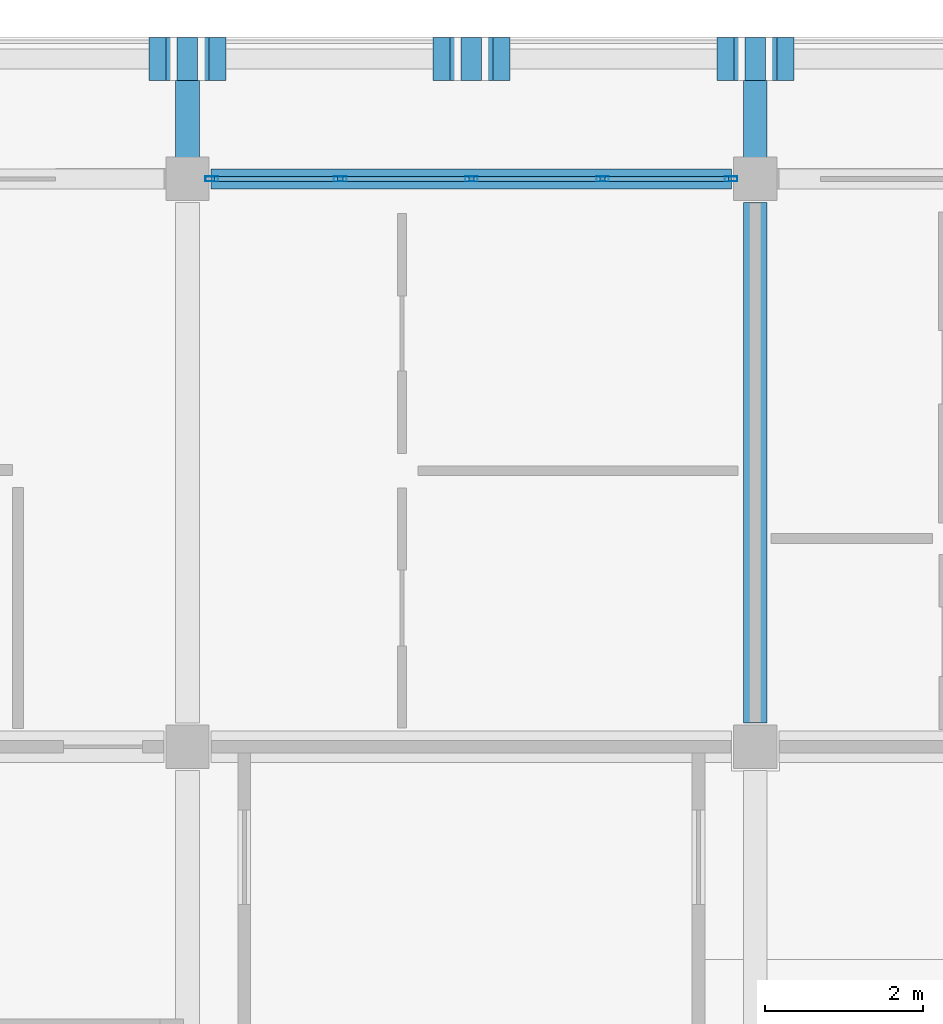
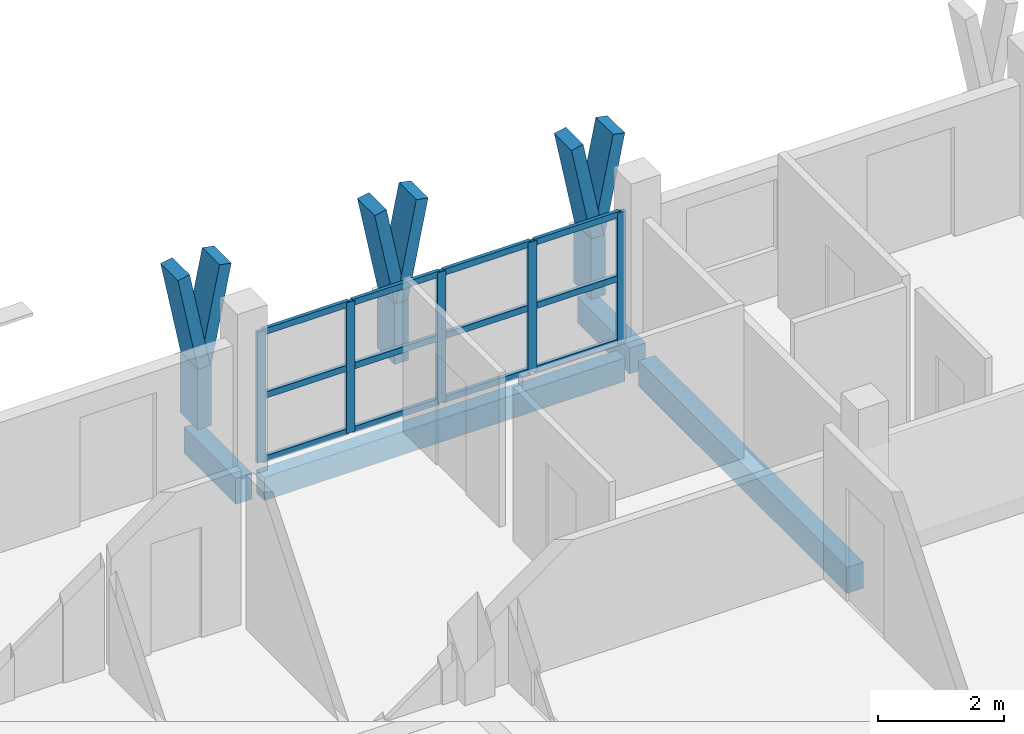
# One storey, part 27 of 73: 26 members, 4 beams, 1 element without a shape of its own.
"""IFC4 building model written with IfcOpenShell, lengths in metres."""

from ifc_helpers import new_model, si_unit, direction, frame, origin, origin_2d, place, context, subcontext, project, spatial, rectangle, hollow_rectangle, extrude, material, material_profile, profile_set, type_object, element, aggregate, save


model = new_model("IFC4")

# Units and contexts
model_context = context("Model", 3, precision=1e-05, world=origin(), true_north=direction((0.0, 1.0)))
body_context = subcontext(model_context, "Body", "Model", "MODEL_VIEW")
ifc_project = project(units=[si_unit("LENGTHUNIT", "METRE"), si_unit("AREAUNIT", "SQUARE_METRE"), si_unit("VOLUMEUNIT", "CUBIC_METRE"), si_unit("PLANEANGLEUNIT", "RADIAN"), si_unit("MASSUNIT", "GRAM", prefix="KILO")], contexts=[model_context])

# Site, building, storey
site_placement = place(None, origin())
site = spatial("IfcSite", under=ifc_project, at=site_placement, CompositionType="ELEMENT")
building_placement = place(site_placement, origin())
building = spatial("IfcBuilding", under=site, at=building_placement, Name="Suanplinth Sawtooth Commons", CompositionType="ELEMENT")
storey_placement = place(building_placement, frame((0.0, 0.0, 21.89990234375)))
storey = spatial("IfcBuildingStorey", under=building, at=storey_placement, Name="L06", CompositionType="ELEMENT", Elevation=21.89990234375)

# Beams
ifc_material_1 = material(Name="Precast concrete C40/50", Category="concrete")
ifc_material_profile_1 = material_profile(ifc_material_1, rectangle(XDim=0.300048828125, YDim=0.5, at=origin_2d()), Name="PC-BM 300x500")
ifc_profile_set_1 = profile_set([ifc_material_profile_1], Name="Precast concrete C40/50")
beam_type_1 = type_object("IfcBeamType", Name="B-07", PredefinedType="BEAM", material=ifc_profile_set_1)
beam_1_placement = place(storey_placement, frame((172.800048828125, 115.5, -0.489990234375), z_axis=(0.0, 1.0, 0.0), x_axis=(-1.0, 0.0, 0.0)))
element("IfcBeam", 1, at=beam_1_placement, inside=storey, type_object=beam_type_1, Name="BMY-L06-B-24-16", PredefinedType="BEAM", context=body_context, shape_type="SweptSolid", body=[
    extrude(rectangle(XDim=0.300048828125, YDim=0.5, at=origin_2d()), origin(), (0.0, 0.0, 1.0), 6.60009765625),
])
for number, where, z_axis, x_axis, name in (
    (2, (165.60009765625, 122.39990234375, -0.429931640625), (0.0, 1.0, 0.0), (-1.0, 0.0, 0.0), "Balcony Outrigger L06-B-N-23"),
    (3, (172.800048828125, 122.39990234375, -0.429931640625), (0.0, 1.0, 0.0), (-1.0, 0.0, 0.0), "Balcony Outrigger L06-B-N-24"),
):
    element("IfcBeam", number, at=place(storey_placement, frame(where, z_axis=z_axis, x_axis=x_axis)), inside=storey, type_object=beam_type_1, Name=name, PredefinedType="BEAM", context=body_context, shape_type="SweptSolid", body=[
        extrude(rectangle(XDim=0.300048828125, YDim=0.5, at=origin_2d()), origin(), (0.0, 0.0, 1.0), 1.64013671875),
    ])
ifc_material_profile_2 = material_profile(ifc_material_1, rectangle(XDim=0.25, YDim=0.449951171875, at=origin_2d()), Name="PC-SP 250x450")
ifc_profile_set_2 = profile_set([ifc_material_profile_2], Name="Precast concrete C40/50")
beam_type_2 = type_object("IfcBeamType", Name="B-09", PredefinedType="SPANDREL", material=ifc_profile_set_2)
beam_2_placement = place(storey_placement, frame((165.89990234375, 122.39990234375, -0.46484375), z_axis=(1.0, 0.0, 0.0), x_axis=(0.0, 1.0, 0.0)))
element("IfcBeam", 4, at=beam_2_placement, inside=storey, type_object=beam_type_2, Name="BMX-L06-B-23-17", PredefinedType="SPANDREL", context=body_context, shape_type="SweptSolid", body=[
    extrude(rectangle(XDim=0.25, YDim=0.449951171875, at=origin_2d()), origin(), (0.0, 0.0, 1.0), 6.60009765625),
])

# Members
ifc_material_2 = material(Name="Pigmented precast concrete C40/50", Category="concrete")
ifc_material_profile_3 = material_profile(ifc_material_2, rectangle(XDim=0.260009765625, YDim=0.550048828125, at=origin_2d()), Name="PC-FIN 260x550")
ifc_profile_set_3 = profile_set([ifc_material_profile_3], Name="Pigmented precast concrete C40/50")
member_type_1 = type_object("IfcMemberType", Name="M-09", PredefinedType="USERDEFINED", material=ifc_profile_set_3)
for number, where, z_axis, x_axis, name in (
    (5, (165.60009765625, 123.919921875, 0.0), (0.0, 0.0, 1.0), (1.0, 0.0, 0.0), "Y-Blade Stem L06-B-N-04"),
    (6, (169.199951171875, 123.919921875, 0.0), (0.0, 0.0, 1.0), (1.0, 0.0, 0.0), "Y-Blade Stem L06-B-N-05"),
    (7, (172.800048828125, 123.919921875, 0.0), (0.0, 0.0, 1.0), (1.0, 0.0, 0.0), "Y-Blade Stem L06-B-N-06"),
):
    element("IfcMember", number, at=place(storey_placement, frame(where, z_axis=z_axis, x_axis=x_axis)), inside=storey, type_object=member_type_1, Name=name, ObjectType="SHADING FIN", PredefinedType="USERDEFINED", context=body_context, shape_type="SweptSolid", body=[
        extrude(rectangle(XDim=0.260009765625, YDim=0.550048828125, at=origin_2d()), origin(), (0.0, 0.0, 1.0), 1.170166015625),
    ])
ifc_material_profile_4 = material_profile(ifc_material_2, rectangle(XDim=0.219970703125, YDim=0.550048828125, at=origin_2d()), Name="PC-FIN 220x550")
ifc_profile_set_4 = profile_set([ifc_material_profile_4], Name="Pigmented precast concrete C40/50")
member_type_2 = type_object("IfcMemberType", Name="M-10", PredefinedType="USERDEFINED", material=ifc_profile_set_4)
member_1_placement = place(storey_placement, frame((165.60009765625, 123.919921875, 1.130126953125), z_axis=(-0.196431120402, 0.0, 0.980517626021), x_axis=(0.980517626021, 0.0, 0.196431120402)))
element("IfcMember", 8, at=member_1_placement, inside=storey, type_object=member_type_2, Name="Y-Blade Arm L L06-B-N-04", ObjectType="SHADING FIN", PredefinedType="USERDEFINED", context=body_context, shape_type="SweptSolid", body=[
    extrude(rectangle(XDim=0.219970703125, YDim=0.550048828125, at=origin_2d()), origin(), (0.0, 0.0, 1.0), 1.937744140625),
])
for number, where, z_axis, x_axis, name in (
    (9, (165.60009765625, 123.919921875, 1.130126953125), (0.196309979414, 0.0, 0.980541886909), (-0.980541886909, 0.0, 0.196309979414), "Y-Blade Arm R L06-B-N-04"),
    (10, (169.199951171875, 123.919921875, 1.130126953125), (-0.196309979414, 0.0, 0.980541886909), (0.980541886909, 0.0, 0.196309979414), "Y-Blade Arm L L06-B-N-05"),
):
    element("IfcMember", number, at=place(storey_placement, frame(where, z_axis=z_axis, x_axis=x_axis)), inside=storey, type_object=member_type_2, Name=name, ObjectType="SHADING FIN", PredefinedType="USERDEFINED", context=body_context, shape_type="SweptSolid", body=[
        extrude(rectangle(XDim=0.219970703125, YDim=0.550048828125, at=origin_2d()), origin(), (0.0, 0.0, 1.0), 1.9375),
    ])
for number, where, z_axis, x_axis, name in (
    (11, (169.199951171875, 123.919921875, 1.130126953125), (0.196431120402, 0.0, 0.980517626021), (-0.980517626021, 0.0, 0.196431120402), "Y-Blade Arm R L06-B-N-05"),
    (12, (172.800048828125, 123.919921875, 1.130126953125), (-0.196431120402, 0.0, 0.980517626021), (0.980517626021, 0.0, 0.196431120402), "Y-Blade Arm L L06-B-N-06"),
):
    element("IfcMember", number, at=place(storey_placement, frame(where, z_axis=z_axis, x_axis=x_axis)), inside=storey, type_object=member_type_2, Name=name, ObjectType="SHADING FIN", PredefinedType="USERDEFINED", context=body_context, shape_type="SweptSolid", body=[
        extrude(rectangle(XDim=0.219970703125, YDim=0.550048828125, at=origin_2d()), origin(), (0.0, 0.0, 1.0), 1.937744140625),
    ])
member_2_placement = place(storey_placement, frame((172.800048828125, 123.919921875, 1.130126953125), z_axis=(0.196309979414, 0.0, 0.980541886909), x_axis=(-0.980541886909, 0.0, 0.196309979414)))
element("IfcMember", 13, at=member_2_placement, inside=storey, type_object=member_type_2, Name="Y-Blade Arm R L06-B-N-06", ObjectType="SHADING FIN", PredefinedType="USERDEFINED", context=body_context, shape_type="SweptSolid", body=[
    extrude(rectangle(XDim=0.219970703125, YDim=0.550048828125, at=origin_2d()), origin(), (0.0, 0.0, 1.0), 1.9375),
])

# Curtain wall, members
ifc_material_3 = material(Name="Anodized aluminium and low-E glazing", Category="aluminium")
curtain_wall_type = type_object("IfcCurtainWallType", Name="CW-06", PredefinedType="USERDEFINED", material=ifc_material_3)
curtain_wall_placement = place(storey_placement, origin())
curtain_wall = element("IfcCurtainWall", 14, at=curtain_wall_placement, inside=storey, type_object=curtain_wall_type, Name="Curtain Wall CW-L06-B-LOUNGE-23", ObjectType="CURTAIN WALL", PredefinedType="USERDEFINED")
ifc_material_4 = material(Name="Anodized aluminium 6063-T6", Category="aluminium")
ifc_material_profile_5 = material_profile(ifc_material_4, hollow_rectangle(XDim=0.06494140625, YDim=0.159912109375, WallThickness=0.00390625, at=origin_2d()), Name="ALU-MUL 65x160")
ifc_profile_set_5 = profile_set([ifc_material_profile_5], Name="Anodized aluminium 6063-T6")
member_type_3 = type_object("IfcMemberType", Name="M-13", PredefinedType="MULLION", material=ifc_profile_set_5)
member_3_placement = place(storey_placement, frame((165.907470703125, 122.39990234375, 0.0), z_axis=(0.0, 0.0, 1.0), x_axis=(0.0, 1.0, 0.0)))
member_3 = element("IfcMember", 15, at=member_3_placement, type_object=member_type_3, Name="CW-06 mullion 1", PredefinedType="MULLION", context=body_context, shape_type="SweptSolid", body=[
    extrude(hollow_rectangle(XDim=0.06494140625, YDim=0.159912109375, WallThickness=0.00390625, at=origin_2d()), origin(), (0.0, 0.0, 1.0), 2.530029296875),
])
member_4_placement = place(storey_placement, frame((167.53759765625, 122.39990234375, 0.0), z_axis=(0.0, 0.0, 1.0), x_axis=(0.0, 1.0, 0.0)))
member_4 = element("IfcMember", 16, at=member_4_placement, type_object=member_type_3, Name="CW-06 mullion 2", PredefinedType="MULLION", context=body_context, shape_type="SweptSolid", body=[
    extrude(hollow_rectangle(XDim=0.06494140625, YDim=0.159912109375, WallThickness=0.00390625, at=origin_2d()), origin(), (0.0, 0.0, 1.0), 2.530029296875),
])
member_5_placement = place(storey_placement, frame((169.199951171875, 122.39990234375, 0.0), z_axis=(0.0, 0.0, 1.0), x_axis=(0.0, 1.0, 0.0)))
member_5 = element("IfcMember", 17, at=member_5_placement, type_object=member_type_3, Name="CW-06 mullion 3", PredefinedType="MULLION", context=body_context, shape_type="SweptSolid", body=[
    extrude(hollow_rectangle(XDim=0.06494140625, YDim=0.159912109375, WallThickness=0.00390625, at=origin_2d()), origin(), (0.0, 0.0, 1.0), 2.530029296875),
])
member_6_placement = place(storey_placement, frame((170.862548828125, 122.39990234375, 0.0), z_axis=(0.0, 0.0, 1.0), x_axis=(0.0, 1.0, 0.0)))
member_6 = element("IfcMember", 18, at=member_6_placement, type_object=member_type_3, Name="CW-06 mullion 4", PredefinedType="MULLION", context=body_context, shape_type="SweptSolid", body=[
    extrude(hollow_rectangle(XDim=0.06494140625, YDim=0.159912109375, WallThickness=0.00390625, at=origin_2d()), origin(), (0.0, 0.0, 1.0), 2.530029296875),
])
member_7_placement = place(storey_placement, frame((172.492431640625, 122.39990234375, 0.0), z_axis=(0.0, 0.0, 1.0), x_axis=(0.0, 1.0, 0.0)))
member_7 = element("IfcMember", 19, at=member_7_placement, type_object=member_type_3, Name="CW-06 mullion 5", PredefinedType="MULLION", context=body_context, shape_type="SweptSolid", body=[
    extrude(hollow_rectangle(XDim=0.06494140625, YDim=0.159912109375, WallThickness=0.00390625, at=origin_2d()), origin(), (0.0, 0.0, 1.0), 2.530029296875),
])
ifc_material_profile_6 = material_profile(ifc_material_4, hollow_rectangle(XDim=0.06494140625, YDim=0.1201171875, WallThickness=0.00390625, at=origin_2d()), Name="ALU-TRN 65x120")
ifc_profile_set_6 = profile_set([ifc_material_profile_6], Name="Anodized aluminium 6063-T6")
member_type_4 = type_object("IfcMemberType", Name="M-15", PredefinedType="USERDEFINED", material=ifc_profile_set_6)
member_8_placement = place(storey_placement, frame((165.93994140625, 122.39990234375, 0.03271484375), z_axis=(1.0, 0.0, 0.0), x_axis=(0.0, 1.0, 0.0)))
member_8 = element("IfcMember", 20, at=member_8_placement, type_object=member_type_4, Name="CW-06 transom 1.1", ObjectType="TRANSOM", PredefinedType="USERDEFINED", context=body_context, shape_type="SweptSolid", body=[
    extrude(hollow_rectangle(XDim=0.06494140625, YDim=0.1201171875, WallThickness=0.00390625, at=origin_2d()), origin(), (0.0, 0.0, 1.0), 1.56494140625),
])
member_9_placement = place(storey_placement, frame((165.93994140625, 122.39990234375, 1.26513671875), z_axis=(1.0, 0.0, 0.0), x_axis=(0.0, 1.0, 0.0)))
member_9 = element("IfcMember", 21, at=member_9_placement, type_object=member_type_4, Name="CW-06 transom 1.2", ObjectType="TRANSOM", PredefinedType="USERDEFINED", context=body_context, shape_type="SweptSolid", body=[
    extrude(hollow_rectangle(XDim=0.06494140625, YDim=0.1201171875, WallThickness=0.00390625, at=origin_2d()), origin(), (0.0, 0.0, 1.0), 1.56494140625),
])
member_10_placement = place(storey_placement, frame((165.93994140625, 122.39990234375, 2.49755859375), z_axis=(1.0, 0.0, 0.0), x_axis=(0.0, 1.0, 0.0)))
member_10 = element("IfcMember", 22, at=member_10_placement, type_object=member_type_4, Name="CW-06 transom 1.3", ObjectType="TRANSOM", PredefinedType="USERDEFINED", context=body_context, shape_type="SweptSolid", body=[
    extrude(hollow_rectangle(XDim=0.06494140625, YDim=0.1201171875, WallThickness=0.00390625, at=origin_2d()), origin(), (0.0, 0.0, 1.0), 1.56494140625),
])
member_11_placement = place(storey_placement, frame((167.570068359375, 122.39990234375, 0.03271484375), z_axis=(1.0, 0.0, 0.0), x_axis=(0.0, 1.0, 0.0)))
member_11 = element("IfcMember", 23, at=member_11_placement, type_object=member_type_4, Name="CW-06 transom 2.1", ObjectType="TRANSOM", PredefinedType="USERDEFINED", context=body_context, shape_type="SweptSolid", body=[
    extrude(hollow_rectangle(XDim=0.06494140625, YDim=0.1201171875, WallThickness=0.00390625, at=origin_2d()), origin(), (0.0, 0.0, 1.0), 1.597412109375),
])
member_12_placement = place(storey_placement, frame((167.570068359375, 122.39990234375, 1.26513671875), z_axis=(1.0, 0.0, 0.0), x_axis=(0.0, 1.0, 0.0)))
member_12 = element("IfcMember", 24, at=member_12_placement, type_object=member_type_4, Name="CW-06 transom 2.2", ObjectType="TRANSOM", PredefinedType="USERDEFINED", context=body_context, shape_type="SweptSolid", body=[
    extrude(hollow_rectangle(XDim=0.06494140625, YDim=0.1201171875, WallThickness=0.00390625, at=origin_2d()), origin(), (0.0, 0.0, 1.0), 1.597412109375),
])
member_13_placement = place(storey_placement, frame((167.570068359375, 122.39990234375, 2.49755859375), z_axis=(1.0, 0.0, 0.0), x_axis=(0.0, 1.0, 0.0)))
member_13 = element("IfcMember", 25, at=member_13_placement, type_object=member_type_4, Name="CW-06 transom 2.3", ObjectType="TRANSOM", PredefinedType="USERDEFINED", context=body_context, shape_type="SweptSolid", body=[
    extrude(hollow_rectangle(XDim=0.06494140625, YDim=0.1201171875, WallThickness=0.00390625, at=origin_2d()), origin(), (0.0, 0.0, 1.0), 1.597412109375),
])
member_14_placement = place(storey_placement, frame((169.232421875, 122.39990234375, 0.03271484375), z_axis=(1.0, 0.0, 0.0), x_axis=(0.0, 1.0, 0.0)))
member_14 = element("IfcMember", 26, at=member_14_placement, type_object=member_type_4, Name="CW-06 transom 3.1", ObjectType="TRANSOM", PredefinedType="USERDEFINED", context=body_context, shape_type="SweptSolid", body=[
    extrude(hollow_rectangle(XDim=0.06494140625, YDim=0.1201171875, WallThickness=0.00390625, at=origin_2d()), origin(), (0.0, 0.0, 1.0), 1.59765625),
])
member_15_placement = place(storey_placement, frame((169.232421875, 122.39990234375, 1.26513671875), z_axis=(1.0, 0.0, 0.0), x_axis=(0.0, 1.0, 0.0)))
member_15 = element("IfcMember", 27, at=member_15_placement, type_object=member_type_4, Name="CW-06 transom 3.2", ObjectType="TRANSOM", PredefinedType="USERDEFINED", context=body_context, shape_type="SweptSolid", body=[
    extrude(hollow_rectangle(XDim=0.06494140625, YDim=0.1201171875, WallThickness=0.00390625, at=origin_2d()), origin(), (0.0, 0.0, 1.0), 1.59765625),
])
member_16_placement = place(storey_placement, frame((169.232421875, 122.39990234375, 2.49755859375), z_axis=(1.0, 0.0, 0.0), x_axis=(0.0, 1.0, 0.0)))
member_16 = element("IfcMember", 28, at=member_16_placement, type_object=member_type_4, Name="CW-06 transom 3.3", ObjectType="TRANSOM", PredefinedType="USERDEFINED", context=body_context, shape_type="SweptSolid", body=[
    extrude(hollow_rectangle(XDim=0.06494140625, YDim=0.1201171875, WallThickness=0.00390625, at=origin_2d()), origin(), (0.0, 0.0, 1.0), 1.59765625),
])
member_17_placement = place(storey_placement, frame((170.89501953125, 122.39990234375, 0.03271484375), z_axis=(1.0, 0.0, 0.0), x_axis=(0.0, 1.0, 0.0)))
member_17 = element("IfcMember", 29, at=member_17_placement, type_object=member_type_4, Name="CW-06 transom 4.1", ObjectType="TRANSOM", PredefinedType="USERDEFINED", context=body_context, shape_type="SweptSolid", body=[
    extrude(hollow_rectangle(XDim=0.06494140625, YDim=0.1201171875, WallThickness=0.00390625, at=origin_2d()), origin(), (0.0, 0.0, 1.0), 1.56494140625),
])
member_18_placement = place(storey_placement, frame((170.89501953125, 122.39990234375, 1.26513671875), z_axis=(1.0, 0.0, 0.0), x_axis=(0.0, 1.0, 0.0)))
member_18 = element("IfcMember", 30, at=member_18_placement, type_object=member_type_4, Name="CW-06 transom 4.2", ObjectType="TRANSOM", PredefinedType="USERDEFINED", context=body_context, shape_type="SweptSolid", body=[
    extrude(hollow_rectangle(XDim=0.06494140625, YDim=0.1201171875, WallThickness=0.00390625, at=origin_2d()), origin(), (0.0, 0.0, 1.0), 1.56494140625),
])
member_19_placement = place(storey_placement, frame((170.89501953125, 122.39990234375, 2.49755859375), z_axis=(1.0, 0.0, 0.0), x_axis=(0.0, 1.0, 0.0)))
member_19 = element("IfcMember", 31, at=member_19_placement, type_object=member_type_4, Name="CW-06 transom 4.3", ObjectType="TRANSOM", PredefinedType="USERDEFINED", context=body_context, shape_type="SweptSolid", body=[
    extrude(hollow_rectangle(XDim=0.06494140625, YDim=0.1201171875, WallThickness=0.00390625, at=origin_2d()), origin(), (0.0, 0.0, 1.0), 1.56494140625),
])
aggregate(curtain_wall, [member_3, member_4, member_5, member_6, member_7, member_8, member_9, member_10, member_11, member_12, member_13, member_14, member_15, member_16, member_17, member_18, member_19])

save(model, "model.ifc")
